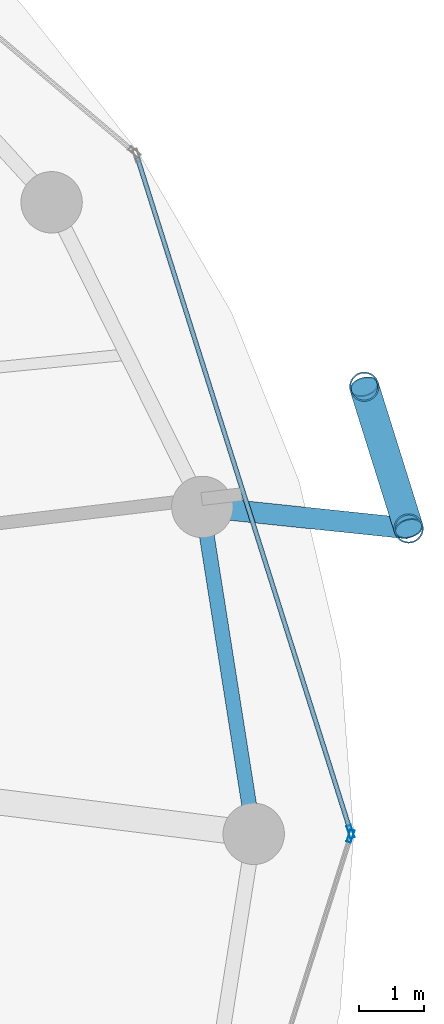
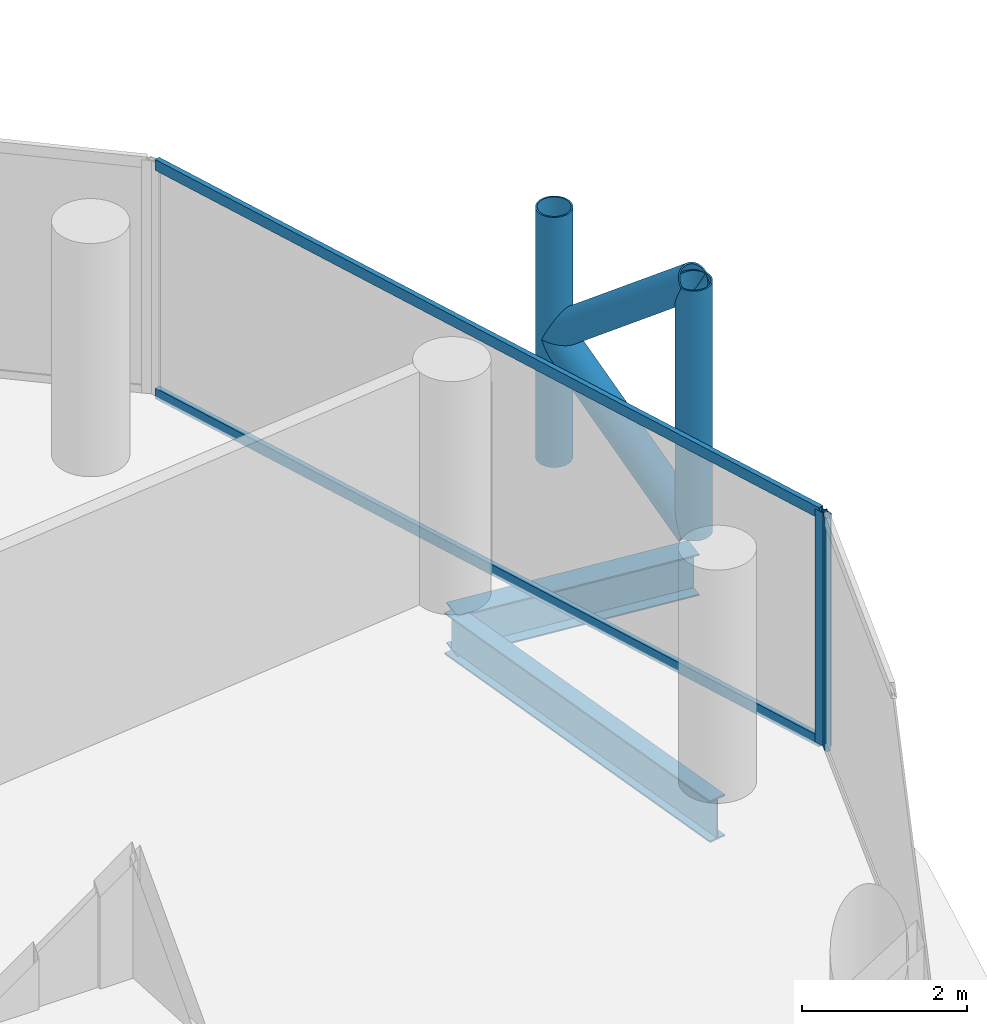
# One storey, part 12 of 26: 8 members, 2 beams, 2 elements without a shape of their own.
"""IFC4 building model written with IfcOpenShell, lengths in metres."""

import ifcopenshell
import ifcopenshell.guid

model = None  # the IFC model being written
_history = None  # IfcOwnerHistory: only IFC2X3 demands one
_inside = {}  # id of a spatial element -> (the spatial element, [elements in it])
_under = {}  # id of a project, library or spatial element -> (it, [spatial elements below it])
_declared = {}  # id of a project -> (the project, [libraries it declares])
_typed = {}  # id of a type object -> (the type object, [elements of that type])
_made_of = {}  # id of a material, layer set ... -> (it, [elements and type objects made of it])


def new_model(schema):
    """Start an empty IFC model of exactly this schema.

    Asked for "IFC4X3", IfcOpenShell would pick the latest addendum, in which some entities
    have other attributes; the version numbers below select the first issue.
    IFC2X3 requires an IfcOwnerHistory on every rooted entity: one is made here for all.
    """
    global model, _history
    if schema == "IFC4X3":
        model = ifcopenshell.file(schema_version=(4, 3, 0, 0))
    else:
        model = ifcopenshell.file(schema=schema)
    _inside.clear()
    _under.clear()
    _declared.clear()
    _typed.clear()
    _made_of.clear()
    _history = None
    if model.schema == "IFC2X3":
        org = make("IfcOrganization", Name="unknown")
        user = make(
            "IfcPersonAndOrganization",
            ThePerson=make("IfcPerson", FamilyName="unknown"),
            TheOrganization=org,
        )
        app = make(
            "IfcApplication",
            ApplicationDeveloper=org,
            Version="unknown",
            ApplicationFullName="unknown",
            ApplicationIdentifier="unknown",
        )
        _history = make(
            "IfcOwnerHistory",
            OwningUser=user,
            OwningApplication=app,
            ChangeAction="ADDED",
            CreationDate=0,
        )
    return model


def make(cls, **values):
    """One entity of the class cls with the attributes given. An attribute that is None is left unset."""
    return model.create_entity(
        cls, **{name: value for name, value in values.items() if value is not None}
    )


def rooted(cls, **values):
    """An entity with a GlobalId (a new one), such as an element, a storey or a relation."""
    return make(cls, GlobalId=ifcopenshell.guid.new(), OwnerHistory=_history, **values)


def si_unit(unit_type, name, prefix=None):
    """IfcSIUnit, for example si_unit("LENGTHUNIT", "METRE", prefix="MILLI")."""
    return make("IfcSIUnit", UnitType=unit_type, Prefix=prefix, Name=name)


def assignment(units):
    """IfcUnitAssignment: the units of a project."""
    return None if units is None else make("IfcUnitAssignment", Units=units)


def point(xyz):
    """IfcCartesianPoint."""
    return None if xyz is None else make("IfcCartesianPoint", Coordinates=xyz)


def direction(xyz):
    """IfcDirection."""
    return None if xyz is None else make("IfcDirection", DirectionRatios=xyz)


def frame(location, z_axis=None, x_axis=None):
    """IfcAxis2Placement3D, a coordinate frame: its origin and axes. An axis left out is left unset."""
    return make(
        "IfcAxis2Placement3D",
        Location=point(location),
        Axis=direction(z_axis),
        RefDirection=direction(x_axis),
    )


def frame_2d(location, x_axis=None):
    """IfcAxis2Placement2D, a coordinate frame in the plane: its origin and x axis."""
    return make(
        "IfcAxis2Placement2D", Location=point(location), RefDirection=direction(x_axis)
    )


def origin():
    """The frame at (0, 0, 0) with its axes left unset."""
    return frame((0.0, 0.0, 0.0))


def origin_2d():
    """The frame at (0, 0) in the plane with its x axis left unset."""
    return frame_2d((0.0, 0.0))


def place(relative_to, where):
    """IfcLocalPlacement: puts the frame where relative to a parent placement (None: the world)."""
    return make(
        "IfcLocalPlacement", PlacementRelTo=relative_to, RelativePlacement=where
    )


def context(
    kind, dimensions, precision=None, world=None, true_north=None, identifier=None
):
    """IfcGeometricRepresentationContext, for example the 3D "Model" context."""
    return make(
        "IfcGeometricRepresentationContext",
        ContextIdentifier=identifier,
        ContextType=kind,
        CoordinateSpaceDimension=dimensions,
        Precision=precision,
        WorldCoordinateSystem=world,
        TrueNorth=true_north,
    )


def subcontext(parent, identifier, kind, view, scale=None):
    """IfcGeometricRepresentationSubContext, for example "Body" below "Model"."""
    return make(
        "IfcGeometricRepresentationSubContext",
        ContextIdentifier=identifier,
        ContextType=kind,
        ParentContext=parent,
        TargetScale=scale,
        TargetView=view,
    )


def project(units=None, contexts=None):
    """IfcProject with its units and contexts."""
    return rooted(
        "IfcProject",
        Name="project",
        RepresentationContexts=contexts,
        UnitsInContext=assignment(units),
    )


def spatial(cls, under=None, at=None, **own):
    """A site, building, storey or space (cls), placed at a placement, below another one or the project."""
    s = rooted(cls, ObjectPlacement=at, **own)
    if under is not None:
        _under.setdefault(under.id(), (under, []))[1].append(s)
    return s


def profile(cls, at=None, kind="AREA", **sizes):
    """A parametric profile (cls). Its sizes go by their IFC names, for example OverallWidth=200.0."""
    return make(cls, ProfileType=kind, Position=at, **sizes)


def hollow_rectangle(**sizes):
    """IfcRectangleHollowProfileDef."""
    return profile("IfcRectangleHollowProfileDef", **sizes)


def hollow_circle(**sizes):
    """IfcCircleHollowProfileDef."""
    return profile("IfcCircleHollowProfileDef", **sizes)


def i_section(**sizes):
    """IfcIShapeProfileDef."""
    return profile("IfcIShapeProfileDef", **sizes)


def extrude(swept, where, along, depth):
    """IfcExtrudedAreaSolid: the profile swept, set in the frame where, extruded along a direction by depth."""
    return make(
        "IfcExtrudedAreaSolid",
        SweptArea=swept,
        Position=where,
        ExtrudedDirection=direction(along),
        Depth=depth,
    )


def shape(context_of_items, identifier, shape_type, items):
    """IfcShapeRepresentation: the items that make up one representation, for example the "Body"."""
    return make(
        "IfcShapeRepresentation",
        ContextOfItems=context_of_items,
        RepresentationIdentifier=identifier,
        RepresentationType=shape_type,
        Items=items,
    )


def material(Name=None, Category=None):
    """IfcMaterial."""
    return make("IfcMaterial", Name=Name, Category=Category)


def layer(
    of_material, thickness, ventilated=None, Name=None, Category=None, Priority=None
):
    """IfcMaterialLayer: one layer of a wall or slab, of a material (None: an air gap)."""
    return make(
        "IfcMaterialLayer",
        Material=of_material,
        LayerThickness=thickness,
        IsVentilated=ventilated,
        Name=Name,
        Category=Category,
        Priority=Priority,
    )


def layer_set(layers, Name=None):
    """IfcMaterialLayerSet."""
    return make("IfcMaterialLayerSet", MaterialLayers=layers, LayerSetName=Name)


def material_profile(
    of_material, cross_section, Name=None, Category=None, Priority=None
):
    """IfcMaterialProfile: a cross section and its material."""
    return make(
        "IfcMaterialProfile",
        Name=Name,
        Material=of_material,
        Profile=cross_section,
        Priority=Priority,
        Category=Category,
    )


def profile_set(profiles, Name=None, composite=None):
    """IfcMaterialProfileSet."""
    return make(
        "IfcMaterialProfileSet",
        Name=Name,
        MaterialProfiles=profiles,
        CompositeProfile=composite,
    )


def made_of(thing, what):
    """Note that an element or type object is made of a material, layer set ...; save() writes the relation."""
    if what is not None:
        _made_of.setdefault(what.id(), (what, []))[1].append(thing)
    return thing


def type_object(cls, material=None, **own):
    """A type object (cls), such as IfcWallType, which elements share."""
    return made_of(rooted(cls, **own), material)


def element(
    cls,
    number,
    at=None,
    inside=None,
    cuts=None,
    type_object=None,
    material=None,
    context=None,
    identifier="Body",
    shape_type=None,
    held_by="IfcProductDefinitionShape",
    body=None,
    shapes=None,
    **own,
):
    """One element of the class cls, such as IfcWall. Its Tag is "e" and its number.

    at: its placement. inside: the storey or other place that contains it. cuts: it is an
    opening in that element (IfcRelVoidsElement). A single representation is given by context,
    identifier, shape_type and body (its items); several are given by shapes. held_by: the class
    of the entity that holds the representations. save() writes the other relations.
    """
    e = rooted(cls, Tag="e%d" % number, ObjectPlacement=at, **own)
    if body is not None:
        shapes = [shape(context, identifier, shape_type, body)]
    if shapes is not None:
        e.Representation = make(held_by, Representations=shapes)
    if inside is not None:
        _inside.setdefault(inside.id(), (inside, []))[1].append(e)
    if cuts is not None:
        rooted(
            "IfcRelVoidsElement", RelatingBuildingElement=cuts, RelatedOpeningElement=e
        )
    if type_object is not None:
        _typed.setdefault(type_object.id(), (type_object, []))[1].append(e)
    return made_of(e, material)


def aggregate(whole, parts):
    """IfcRelAggregates: a whole, such as a stair, and the parts it consists of."""
    return rooted("IfcRelAggregates", RelatingObject=whole, RelatedObjects=parts)


def save(model, path):
    """Write the relations noted so far, then the file.

    IfcRelAggregates (storeys below a building ...), IfcRelContainedInSpatialStructure (elements
    in a storey), IfcRelDefinesByType, IfcRelAssociatesMaterial and IfcRelDeclares: one each for
    every whole, place, type object, material and project.
    """
    for whole, parts in _under.values():
        aggregate(whole, parts)
    for where, things in _inside.values():
        rooted(
            "IfcRelContainedInSpatialStructure",
            RelatedElements=things,
            RelatingStructure=where,
        )
    for kind, things in _typed.values():
        rooted("IfcRelDefinesByType", RelatedObjects=things, RelatingType=kind)
    for what, things in _made_of.values():
        rooted("IfcRelAssociatesMaterial", RelatedObjects=things, RelatingMaterial=what)
    for by, libraries in _declared.values():
        rooted("IfcRelDeclares", RelatingContext=by, RelatedDefinitions=libraries)
    model.write(path)


model = new_model("IFC4")

# Units and contexts
model_context = context("Model", 3, precision=1e-05, world=origin(), true_north=direction((0.0, 1.0)))
body_context = subcontext(model_context, "Body", "Model", "MODEL_VIEW")
ifc_project = project(units=[si_unit("LENGTHUNIT", "METRE"), si_unit("AREAUNIT", "SQUARE_METRE"), si_unit("VOLUMEUNIT", "CUBIC_METRE"), si_unit("PLANEANGLEUNIT", "RADIAN"), si_unit("MASSUNIT", "GRAM", prefix="KILO")], contexts=[model_context])

# Site, building, storey
site_placement = place(None, origin())
site = spatial("IfcSite", under=ifc_project, at=site_placement, CompositionType="ELEMENT")
building_placement = place(site_placement, origin())
building = spatial("IfcBuilding", under=site, at=building_placement, Name="Nuhasar Tower", CompositionType="ELEMENT")
storey_placement = place(building_placement, frame((0.0, 0.0, 121.949951171875)))
storey = spatial("IfcBuildingStorey", under=building, at=storey_placement, Name="L28", CompositionType="ELEMENT", Elevation=121.949951171875)

# Beams
ifc_material_1 = material(Name="Steel S355", Category="steel")
ifc_material_profile_1 = material_profile(ifc_material_1, i_section(OverallWidth=0.22998046875, OverallDepth=0.616943359375, WebThickness=0.01318359375, FlangeThickness=0.022216796875, at=origin_2d()), Name="W24X94")
ifc_profile_set_1 = profile_set([ifc_material_profile_1], Name="Steel S355")
beam_type_1 = type_object("IfcBeamType", Name="BM-RING-W24X94", PredefinedType="SPANDREL", material=ifc_profile_set_1)
beam_1_placement = place(storey_placement, frame((62.35009765625, 26.800048828125, -0.557861328125), z_axis=(-0.155426543608, 0.987847452566, 0.0), x_axis=(-0.987847452566, -0.155426543608, 0.0)))
element("IfcBeam", 1, at=beam_1_placement, inside=storey, type_object=beam_type_1, Name="L28 Perimeter Ring Spandrel 01", PredefinedType="SPANDREL", context=body_context, shape_type="SweptSolid", body=[
    extrude(i_section(OverallWidth=0.22998046875, OverallDepth=0.616943359375, WebThickness=0.01318359375, FlangeThickness=0.022216796875, at=origin_2d()), origin(), (0.0, 0.0, 1.0), 5.122314453125),
])
ifc_material_profile_2 = material_profile(ifc_material_1, i_section(OverallWidth=0.323974609375, OverallDepth=0.611083984375, WebThickness=0.0126953125, FlangeThickness=0.01904296875, at=origin_2d()), Name="W24X104")
ifc_profile_set_2 = profile_set([ifc_material_profile_2], Name="Steel S355")
beam_type_2 = type_object("IfcBeamType", Name="BM-TIE-W24X104", PredefinedType="BEAM", material=ifc_profile_set_2)
beam_2_placement = place(storey_placement, frame((61.553955078125, 31.860107421875, -0.554931640625), z_axis=(0.994569828715, -0.104071397654, 0.0), x_axis=(0.104071397654, 0.994569828715, 0.0)))
element("IfcBeam", 2, at=beam_2_placement, inside=storey, type_object=beam_type_2, Name="L28 Exoskeleton Node Tie Beam 01", PredefinedType="BEAM", context=body_context, shape_type="SweptSolid", body=[
    extrude(i_section(OverallWidth=0.323974609375, OverallDepth=0.611083984375, WebThickness=0.0126953125, FlangeThickness=0.01904296875, at=origin_2d()), origin(), (0.0, 0.0, 1.0), 3.21142578125),
])

# Curtain wall, member
ifc_material_2 = material(Name="Aluminium 6063-T6", Category="aluminium")
ifc_layer = layer(ifc_material_2, 0.199951171875)
ifc_layer_set = layer_set([ifc_layer], Name="Aluminium 6063-T6")
curtain_wall_type = type_object("IfcCurtainWallType", Name="CW-Z2-HTL", PredefinedType="NOTDEFINED", material=ifc_layer_set)
curtain_wall_1_placement = place(storey_placement, origin())
curtain_wall_1 = element("IfcCurtainWall", 3, at=curtain_wall_1_placement, inside=storey, type_object=curtain_wall_type, Name="L28 Unitised Curtain Wall 01", PredefinedType="NOTDEFINED")
ifc_material_profile_3 = material_profile(ifc_material_2, hollow_rectangle(XDim=0.070068359375, YDim=0.199951171875, WallThickness=0.0048828125, at=origin_2d()), Name="CWM-3")
ifc_profile_set_3 = profile_set([ifc_material_profile_3], Name="Aluminium 6063-T6")
member_type_1 = type_object("IfcMemberType", Name="CW-MUL-S3", PredefinedType="MULLION", material=ifc_profile_set_3)
member_1_placement = place(storey_placement, frame((63.849365234375, 26.833251953125, 0.0), z_axis=(0.0, 0.0, 1.0), x_axis=(-0.953433389233, -0.301603667577, 0.0)))
member_1 = element("IfcMember", 4, at=member_1_placement, type_object=member_type_1, Name="CW-Z2 mullion 1", PredefinedType="MULLION", context=body_context, shape_type="SweptSolid", body=[
    extrude(hollow_rectangle(XDim=0.070068359375, YDim=0.199951171875, WallThickness=0.0048828125, at=origin_2d()), origin(), (0.0, 0.0, 1.0), 3.449951171875),
])

curtain_wall_2_placement = place(storey_placement, origin())
curtain_wall_2 = element("IfcCurtainWall", 5, at=curtain_wall_2_placement, inside=storey, type_object=curtain_wall_type, Name="L28 Unitised Curtain Wall 12", PredefinedType="NOTDEFINED")
member_2_placement = place(storey_placement, frame((63.849365234375, 26.7666015625, 0.0), z_axis=(0.0, 0.0, 1.0), x_axis=(-0.953433389233, 0.301603667577, 0.0)))
member_2 = element("IfcMember", 6, at=member_2_placement, type_object=member_type_1, Name="CW-Z2 mullion 2", PredefinedType="MULLION", context=body_context, shape_type="SweptSolid", body=[
    extrude(hollow_rectangle(XDim=0.070068359375, YDim=0.199951171875, WallThickness=0.0048828125, at=origin_2d()), origin(), (0.0, 0.0, 1.0), 3.449951171875),
])
aggregate(curtain_wall_2, [member_2])

# Member
ifc_material_profile_4 = material_profile(ifc_material_2, hollow_rectangle(XDim=0.070068359375, YDim=0.159912109375, WallThickness=0.00439453125, at=origin_2d()), Name="CWT-3")
ifc_profile_set_4 = profile_set([ifc_material_profile_4], Name="Aluminium 6063-T6")
member_type_2 = type_object("IfcMemberType", Name="CW-TRN-S3", PredefinedType="USERDEFINED", material=ifc_profile_set_4)
member_3_placement = place(storey_placement, frame((63.8388671875, 26.86669921875, 0.03515625), z_axis=(-0.301608163352, 0.953431967053, 0.0), x_axis=(-0.953431967053, -0.301608163352, 0.0)))
member_3 = element("IfcMember", 7, at=member_3_placement, type_object=member_type_2, Name="CW-Z2 transom 1.1", ObjectType="TRANSOM", PredefinedType="USERDEFINED", context=body_context, shape_type="SweptSolid", body=[
    extrude(hollow_rectangle(XDim=0.070068359375, YDim=0.159912109375, WallThickness=0.00439453125, at=origin_2d()), origin(), (0.0, 0.0, 1.0), 10.904296875),
])

member_4_placement = place(storey_placement, frame((63.8388671875, 26.86669921875, 3.4150390625), z_axis=(-0.301608163352, 0.953431967053, 0.0), x_axis=(-0.953431967053, -0.301608163352, 0.0)))
member_4 = element("IfcMember", 8, at=member_4_placement, type_object=member_type_2, Name="CW-Z2 transom 1.2", ObjectType="TRANSOM", PredefinedType="USERDEFINED", context=body_context, shape_type="SweptSolid", body=[
    extrude(hollow_rectangle(XDim=0.070068359375, YDim=0.159912109375, WallThickness=0.00439453125, at=origin_2d()), origin(), (0.0, 0.0, 1.0), 10.904296875),
])

aggregate(curtain_wall_1, [member_1, member_3, member_4])

# Members
ifc_material_3 = material(Name="Steel S460", Category="steel")
ifc_material_profile_5 = material_profile(ifc_material_3, hollow_circle(Radius=0.228515625, WallThickness=0.022216796875, at=origin_2d()), Name="HSS457X22.2")
ifc_profile_set_5 = profile_set([ifc_material_profile_5], Name="Steel S460")
member_type_3 = type_object("IfcMemberType", Name="EXO-BRONZE-457", PredefinedType="BRACE", material=ifc_profile_set_5)
for number, where, z_axis, x_axis, name in (
    (9, (64.748046875, 31.52587890625, 0.0), (0.0, 0.0, 1.0), (1.0, 0.0, 0.0), "L28 Exoskeleton Chord Column EC-01A"),
    (10, (64.06005859375, 33.720947265625, 0.0), (0.0, 0.0, 1.0), (1.0, 0.0, 0.0), "L28 Exoskeleton Chord Column EC-01B"),
):
    element("IfcMember", number, at=place(storey_placement, frame(where, z_axis=z_axis, x_axis=x_axis)), inside=storey, type_object=member_type_3, Name=name, PredefinedType="BRACE", context=body_context, shape_type="SweptSolid", body=[
        extrude(hollow_circle(Radius=0.228515625, WallThickness=0.022216796875, at=origin_2d()), origin(), (0.0, 0.0, 1.0), 3.699951171875),
    ])
member_5_placement = place(storey_placement, frame((64.748046875, 31.52587890625, 0.0), z_axis=(-0.233055548538, 0.743577869731, 0.626719285599), x_axis=(-0.954228474306, -0.29907861646, 0.0)))
element("IfcMember", 11, at=member_5_placement, inside=storey, type_object=member_type_3, Name="L28 Bronze Diagrid Brace W1-01", PredefinedType="BRACE", context=body_context, shape_type="SweptSolid", body=[
    extrude(hollow_circle(Radius=0.228515625, WallThickness=0.022216796875, at=origin_2d()), origin(), (0.0, 0.0, 1.0), 2.9521484375),
])
member_6_placement = place(storey_placement, frame((64.06005859375, 33.720947265625, 1.85009765625), z_axis=(0.233067628236, -0.74361641074, 0.626669062861), x_axis=(0.954228474306, 0.29907861646, 0.0)))
element("IfcMember", 12, at=member_6_placement, inside=storey, type_object=member_type_3, Name="L28 Bronze Diagrid Brace W2-01", PredefinedType="BRACE", context=body_context, shape_type="SweptSolid", body=[
    extrude(hollow_circle(Radius=0.228515625, WallThickness=0.022216796875, at=origin_2d()), origin(), (0.0, 0.0, 1.0), 2.951904296875),
])

save(model, "model.ifc")
